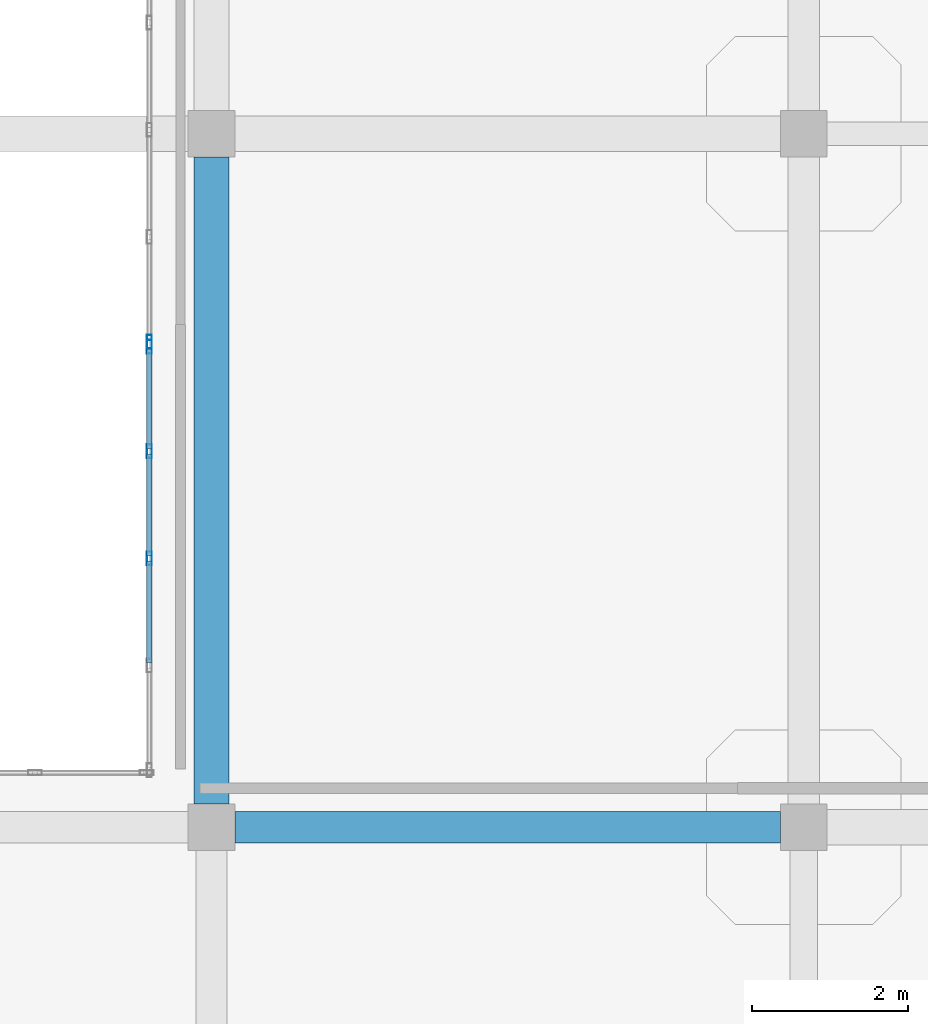
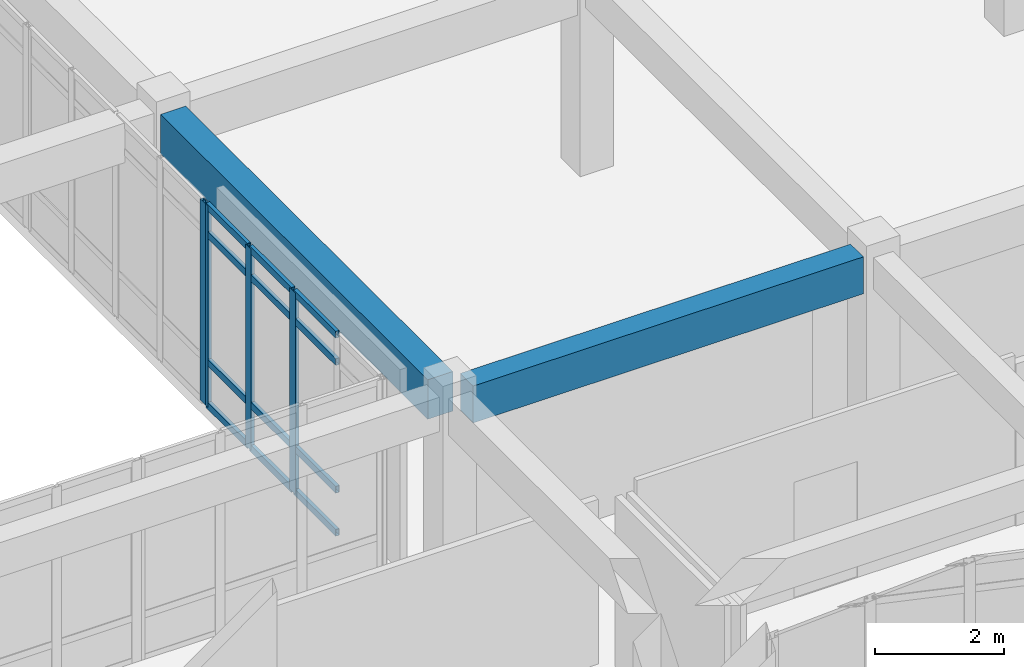
# One storey, part 85 of 146: 16 members, 2 beams, 2 elements without a shape of their own.
"""IFC4 building model written with IfcOpenShell, lengths in metres."""

from ifc_helpers import new_model, si_unit, direction, frame, origin, origin_2d, place, context, subcontext, project, spatial, rectangle, hollow_rectangle, extrude, material, layer, layer_set, material_profile, profile_set, type_object, element, aggregate, save


model = new_model("IFC4")

# Units and contexts
model_context = context("Model", 3, precision=1e-05, world=origin(), true_north=direction((0.0, 1.0)))
body_context = subcontext(model_context, "Body", "Model", "MODEL_VIEW")
ifc_project = project(units=[si_unit("LENGTHUNIT", "METRE"), si_unit("AREAUNIT", "SQUARE_METRE"), si_unit("VOLUMEUNIT", "CUBIC_METRE"), si_unit("PLANEANGLEUNIT", "RADIAN"), si_unit("MASSUNIT", "GRAM", prefix="KILO")], contexts=[model_context])

# Site, building, storey
site_placement = place(None, origin())
site = spatial("IfcSite", under=ifc_project, at=site_placement, CompositionType="ELEMENT")
building_placement = place(site_placement, origin())
building = spatial("IfcBuilding", under=site, at=building_placement, Name="Valcora Specialist Clinic", CompositionType="ELEMENT")
storey_placement = place(building_placement, frame((0.0, 0.0, 9.52001953125)))
storey = spatial("IfcBuildingStorey", under=building, at=storey_placement, Name="L02", CompositionType="ELEMENT", Elevation=9.52001953125)

# Beams
ifc_material_1 = material(Name="Concrete C40/50", Category="concrete")
ifc_material_profile_1 = material_profile(ifc_material_1, rectangle(XDim=0.39990234375, YDim=0.699951171875, at=origin_2d()), Name="RC-BM-400X700")
ifc_profile_set_1 = profile_set([ifc_material_profile_1], Name="Concrete C40/50")
beam_type_1 = type_object("IfcBeamType", Name="TY-BM-RC400X700", PredefinedType="BEAM", material=ifc_profile_set_1)
beam_1_placement = place(storey_placement, frame((91.10009765625, 81.300048828125, 3.469970703125), z_axis=(1.0, 0.0, 0.0), x_axis=(0.0, 1.0, 0.0)))
element("IfcBeam", 1, at=beam_1_placement, inside=storey, type_object=beam_type_1, Name="Beam BM-L02-0706", PredefinedType="BEAM", context=body_context, shape_type="SweptSolid", body=[
    extrude(rectangle(XDim=0.39990234375, YDim=0.699951171875, at=origin_2d()), origin(), (0.0, 0.0, 1.0), 7.0),
])
ifc_material_profile_2 = material_profile(ifc_material_1, rectangle(XDim=0.449951171875, YDim=0.75, at=origin_2d()), Name="RC-BM-450X750")
ifc_profile_set_2 = profile_set([ifc_material_profile_2], Name="Concrete C40/50")
beam_type_2 = type_object("IfcBeamType", Name="TY-BM-RC450X750", PredefinedType="BEAM", material=ifc_profile_set_2)
beam_2_placement = place(storey_placement, frame((90.800048828125, 81.60009765625, 3.445068359375), z_axis=(0.0, 1.0, 0.0), x_axis=(-1.0, 0.0, 0.0)))
element("IfcBeam", 2, at=beam_2_placement, inside=storey, type_object=beam_type_2, Name="Beam BM-L02-0747", PredefinedType="BEAM", context=body_context, shape_type="SweptSolid", body=[
    extrude(rectangle(XDim=0.449951171875, YDim=0.75, at=origin_2d()), origin(), (0.0, 0.0, 1.0), 8.2998046875),
])

# Curtain wall, members
ifc_material_2 = material(Name="Anodized Bronze Aluminium 6063-T6", Category="aluminium")
ifc_layer = layer(ifc_material_2, 0.175048828125)
ifc_layer_set = layer_set([ifc_layer], Name="Anodized Bronze Aluminium 6063-T6")
curtain_wall_type = type_object("IfcCurtainWallType", Name="TY-CW-CRT15", PredefinedType="NOTDEFINED", material=ifc_layer_set)
curtain_wall_1_placement = place(storey_placement, origin())
curtain_wall_1 = element("IfcCurtainWall", 3, at=curtain_wall_1_placement, inside=storey, type_object=curtain_wall_type, Name="Curtain wall CW-L02-096", PredefinedType="NOTDEFINED")
ifc_material_profile_3 = material_profile(ifc_material_2, hollow_rectangle(XDim=0.06494140625, YDim=0.175048828125, WallThickness=0.00390625, at=origin_2d()), Name="AL-MUL-65X175")
ifc_profile_set_3 = profile_set([ifc_material_profile_3], Name="Anodized Bronze Aluminium 6063-T6")
member_type_1 = type_object("IfcMemberType", Name="TY-CWM-65X175", PredefinedType="MULLION", material=ifc_profile_set_3)
member_1_placement = place(storey_placement, frame((90.0, 84.75, 0.0), z_axis=(0.0, 0.0, 1.0), x_axis=(-1.0, 0.0, 0.0)))
member_1 = element("IfcMember", 4, at=member_1_placement, type_object=member_type_1, Name="CW-CRT-15 mullion 3", PredefinedType="MULLION", context=body_context, shape_type="SweptSolid", body=[
    extrude(hollow_rectangle(XDim=0.06494140625, YDim=0.175048828125, WallThickness=0.00390625, at=origin_2d()), origin(), (0.0, 0.0, 1.0), 3.820068359375),
])
member_2_placement = place(storey_placement, frame((90.0, 86.125, 0.0), z_axis=(0.0, 0.0, 1.0), x_axis=(-1.0, 0.0, 0.0)))
member_2 = element("IfcMember", 5, at=member_2_placement, type_object=member_type_1, Name="CW-CRT-15 mullion 4", PredefinedType="MULLION", context=body_context, shape_type="SweptSolid", body=[
    extrude(hollow_rectangle(XDim=0.06494140625, YDim=0.175048828125, WallThickness=0.00390625, at=origin_2d()), origin(), (0.0, 0.0, 1.0), 3.820068359375),
])
member_3_placement = place(storey_placement, frame((90.0, 87.467529296875, 0.0), z_axis=(0.0, 0.0, 1.0), x_axis=(-1.0, 0.0, 0.0)))
member_3 = element("IfcMember", 6, at=member_3_placement, type_object=member_type_1, Name="CW-CRT-15 mullion 5", PredefinedType="MULLION", context=body_context, shape_type="SweptSolid", body=[
    extrude(hollow_rectangle(XDim=0.06494140625, YDim=0.175048828125, WallThickness=0.00390625, at=origin_2d()), origin(), (0.0, 0.0, 1.0), 3.820068359375),
])

# Curtain wall, member
curtain_wall_2_placement = place(storey_placement, origin())
curtain_wall_2 = element("IfcCurtainWall", 7, at=curtain_wall_2_placement, inside=storey, type_object=curtain_wall_type, Name="Curtain wall CW-L02-097", PredefinedType="NOTDEFINED")
member_4_placement = place(storey_placement, frame((90.0, 87.532470703125, 0.0), z_axis=(0.0, 0.0, 1.0), x_axis=(-1.0, 0.0, 0.0)))
member_4 = element("IfcMember", 8, at=member_4_placement, type_object=member_type_1, Name="CW-CRT-15 mullion 1", PredefinedType="MULLION", context=body_context, shape_type="SweptSolid", body=[
    extrude(hollow_rectangle(XDim=0.06494140625, YDim=0.175048828125, WallThickness=0.00390625, at=origin_2d()), origin(), (0.0, 0.0, 1.0), 3.820068359375),
])
aggregate(curtain_wall_2, [member_4])

# Member
ifc_material_profile_4 = material_profile(ifc_material_2, hollow_rectangle(XDim=0.06494140625, YDim=0.1298828125, WallThickness=0.00390625, at=origin_2d()), Name="AL-TRN-65X130")
ifc_profile_set_4 = profile_set([ifc_material_profile_4], Name="Anodized Bronze Aluminium 6063-T6")
member_type_2 = type_object("IfcMemberType", Name="TY-CWT-65X130", PredefinedType="USERDEFINED", material=ifc_profile_set_4)
member_5_placement = place(storey_placement, frame((90.0, 83.407470703125, 0.032470703125), z_axis=(0.0, 1.0, 0.0), x_axis=(-1.0, 0.0, 0.0)))
member_5 = element("IfcMember", 9, at=member_5_placement, type_object=member_type_2, Name="CW-CRT-15 transom 2.1", ObjectType="TRANSOM", PredefinedType="USERDEFINED", context=body_context, shape_type="SweptSolid", body=[
    extrude(hollow_rectangle(XDim=0.06494140625, YDim=0.1298828125, WallThickness=0.00390625, at=origin_2d()), origin(), (0.0, 0.0, 1.0), 1.31005859375),
])

member_6_placement = place(storey_placement, frame((90.0, 83.407470703125, 0.85009765625), z_axis=(0.0, 1.0, 0.0), x_axis=(-1.0, 0.0, 0.0)))
member_6 = element("IfcMember", 10, at=member_6_placement, type_object=member_type_2, Name="CW-CRT-15 transom 2.2", ObjectType="TRANSOM", PredefinedType="USERDEFINED", context=body_context, shape_type="SweptSolid", body=[
    extrude(hollow_rectangle(XDim=0.06494140625, YDim=0.1298828125, WallThickness=0.00390625, at=origin_2d()), origin(), (0.0, 0.0, 1.0), 1.31005859375),
])

member_7_placement = place(storey_placement, frame((90.0, 83.407470703125, 3.27001953125), z_axis=(0.0, 1.0, 0.0), x_axis=(-1.0, 0.0, 0.0)))
member_7 = element("IfcMember", 11, at=member_7_placement, type_object=member_type_2, Name="CW-CRT-15 transom 2.3", ObjectType="TRANSOM", PredefinedType="USERDEFINED", context=body_context, shape_type="SweptSolid", body=[
    extrude(hollow_rectangle(XDim=0.06494140625, YDim=0.1298828125, WallThickness=0.00390625, at=origin_2d()), origin(), (0.0, 0.0, 1.0), 1.31005859375),
])

member_8_placement = place(storey_placement, frame((90.0, 83.407470703125, 3.78759765625), z_axis=(0.0, 1.0, 0.0), x_axis=(-1.0, 0.0, 0.0)))
member_8 = element("IfcMember", 12, at=member_8_placement, type_object=member_type_2, Name="CW-CRT-15 transom 2.4", ObjectType="TRANSOM", PredefinedType="USERDEFINED", context=body_context, shape_type="SweptSolid", body=[
    extrude(hollow_rectangle(XDim=0.06494140625, YDim=0.1298828125, WallThickness=0.00390625, at=origin_2d()), origin(), (0.0, 0.0, 1.0), 1.31005859375),
])

member_9_placement = place(storey_placement, frame((90.0, 84.782470703125, 0.032470703125), z_axis=(0.0, 1.0, 0.0), x_axis=(-1.0, 0.0, 0.0)))
member_9 = element("IfcMember", 13, at=member_9_placement, type_object=member_type_2, Name="CW-CRT-15 transom 3.1", ObjectType="TRANSOM", PredefinedType="USERDEFINED", context=body_context, shape_type="SweptSolid", body=[
    extrude(hollow_rectangle(XDim=0.06494140625, YDim=0.1298828125, WallThickness=0.00390625, at=origin_2d()), origin(), (0.0, 0.0, 1.0), 1.31005859375),
])

member_10_placement = place(storey_placement, frame((90.0, 84.782470703125, 0.85009765625), z_axis=(0.0, 1.0, 0.0), x_axis=(-1.0, 0.0, 0.0)))
member_10 = element("IfcMember", 14, at=member_10_placement, type_object=member_type_2, Name="CW-CRT-15 transom 3.2", ObjectType="TRANSOM", PredefinedType="USERDEFINED", context=body_context, shape_type="SweptSolid", body=[
    extrude(hollow_rectangle(XDim=0.06494140625, YDim=0.1298828125, WallThickness=0.00390625, at=origin_2d()), origin(), (0.0, 0.0, 1.0), 1.31005859375),
])

member_11_placement = place(storey_placement, frame((90.0, 84.782470703125, 3.27001953125), z_axis=(0.0, 1.0, 0.0), x_axis=(-1.0, 0.0, 0.0)))
member_11 = element("IfcMember", 15, at=member_11_placement, type_object=member_type_2, Name="CW-CRT-15 transom 3.3", ObjectType="TRANSOM", PredefinedType="USERDEFINED", context=body_context, shape_type="SweptSolid", body=[
    extrude(hollow_rectangle(XDim=0.06494140625, YDim=0.1298828125, WallThickness=0.00390625, at=origin_2d()), origin(), (0.0, 0.0, 1.0), 1.31005859375),
])

member_12_placement = place(storey_placement, frame((90.0, 84.782470703125, 3.78759765625), z_axis=(0.0, 1.0, 0.0), x_axis=(-1.0, 0.0, 0.0)))
member_12 = element("IfcMember", 16, at=member_12_placement, type_object=member_type_2, Name="CW-CRT-15 transom 3.4", ObjectType="TRANSOM", PredefinedType="USERDEFINED", context=body_context, shape_type="SweptSolid", body=[
    extrude(hollow_rectangle(XDim=0.06494140625, YDim=0.1298828125, WallThickness=0.00390625, at=origin_2d()), origin(), (0.0, 0.0, 1.0), 1.31005859375),
])

member_13_placement = place(storey_placement, frame((90.0, 86.157470703125, 0.032470703125), z_axis=(0.0, 1.0, 0.0), x_axis=(-1.0, 0.0, 0.0)))
member_13 = element("IfcMember", 17, at=member_13_placement, type_object=member_type_2, Name="CW-CRT-15 transom 4.1", ObjectType="TRANSOM", PredefinedType="USERDEFINED", context=body_context, shape_type="SweptSolid", body=[
    extrude(hollow_rectangle(XDim=0.06494140625, YDim=0.1298828125, WallThickness=0.00390625, at=origin_2d()), origin(), (0.0, 0.0, 1.0), 1.277587890625),
])

member_14_placement = place(storey_placement, frame((90.0, 86.157470703125, 0.85009765625), z_axis=(0.0, 1.0, 0.0), x_axis=(-1.0, 0.0, 0.0)))
member_14 = element("IfcMember", 18, at=member_14_placement, type_object=member_type_2, Name="CW-CRT-15 transom 4.2", ObjectType="TRANSOM", PredefinedType="USERDEFINED", context=body_context, shape_type="SweptSolid", body=[
    extrude(hollow_rectangle(XDim=0.06494140625, YDim=0.1298828125, WallThickness=0.00390625, at=origin_2d()), origin(), (0.0, 0.0, 1.0), 1.277587890625),
])

member_15_placement = place(storey_placement, frame((90.0, 86.157470703125, 3.27001953125), z_axis=(0.0, 1.0, 0.0), x_axis=(-1.0, 0.0, 0.0)))
member_15 = element("IfcMember", 19, at=member_15_placement, type_object=member_type_2, Name="CW-CRT-15 transom 4.3", ObjectType="TRANSOM", PredefinedType="USERDEFINED", context=body_context, shape_type="SweptSolid", body=[
    extrude(hollow_rectangle(XDim=0.06494140625, YDim=0.1298828125, WallThickness=0.00390625, at=origin_2d()), origin(), (0.0, 0.0, 1.0), 1.277587890625),
])

member_16_placement = place(storey_placement, frame((90.0, 86.157470703125, 3.78759765625), z_axis=(0.0, 1.0, 0.0), x_axis=(-1.0, 0.0, 0.0)))
member_16 = element("IfcMember", 20, at=member_16_placement, type_object=member_type_2, Name="CW-CRT-15 transom 4.4", ObjectType="TRANSOM", PredefinedType="USERDEFINED", context=body_context, shape_type="SweptSolid", body=[
    extrude(hollow_rectangle(XDim=0.06494140625, YDim=0.1298828125, WallThickness=0.00390625, at=origin_2d()), origin(), (0.0, 0.0, 1.0), 1.277587890625),
])

aggregate(curtain_wall_1, [member_1, member_2, member_3, member_5, member_6, member_7, member_8, member_9, member_10, member_11, member_12, member_13, member_14, member_15, member_16])

save(model, "model.ifc")
